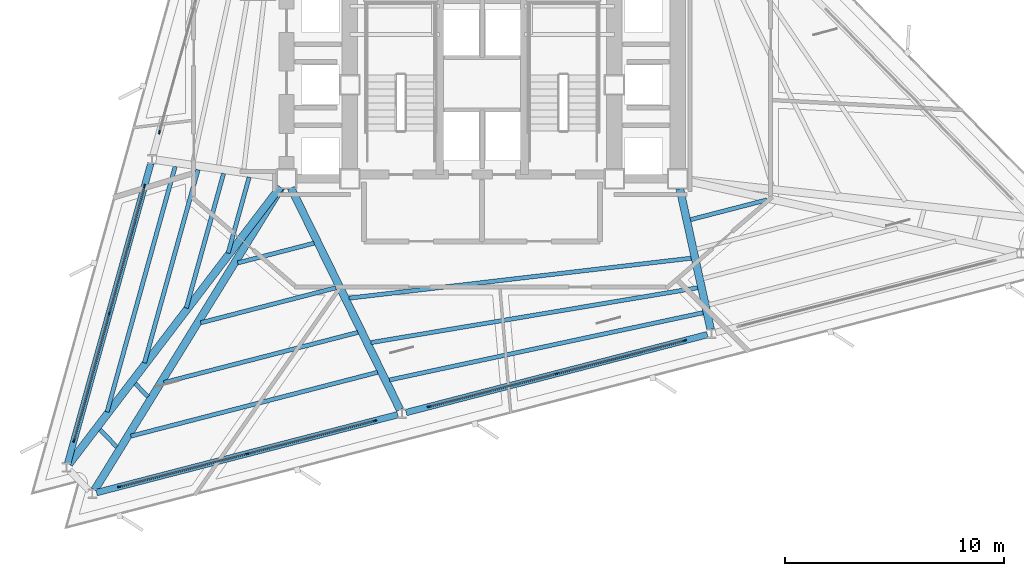
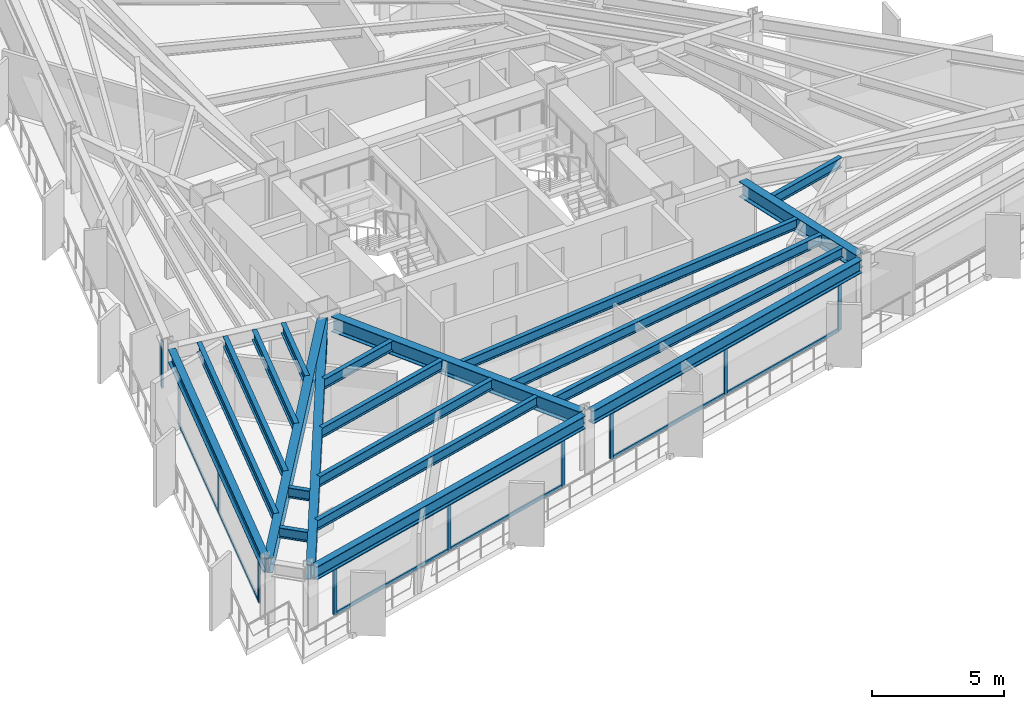
# One storey, part 2 of 11: 22 members, 21 beams, 4 elements without a shape of their own.
"""IFC4 building model written with IfcOpenShell, lengths in metres."""

import ifcopenshell
import ifcopenshell.guid

model = None  # the IFC model being written
_history = None  # IfcOwnerHistory: only IFC2X3 demands one
_inside = {}  # id of a spatial element -> (the spatial element, [elements in it])
_under = {}  # id of a project, library or spatial element -> (it, [spatial elements below it])
_declared = {}  # id of a project -> (the project, [libraries it declares])
_typed = {}  # id of a type object -> (the type object, [elements of that type])
_made_of = {}  # id of a material, layer set ... -> (it, [elements and type objects made of it])


def new_model(schema):
    """Start an empty IFC model of exactly this schema.

    Asked for "IFC4X3", IfcOpenShell would pick the latest addendum, in which some entities
    have other attributes; the version numbers below select the first issue.
    IFC2X3 requires an IfcOwnerHistory on every rooted entity: one is made here for all.
    """
    global model, _history
    if schema == "IFC4X3":
        model = ifcopenshell.file(schema_version=(4, 3, 0, 0))
    else:
        model = ifcopenshell.file(schema=schema)
    _inside.clear()
    _under.clear()
    _declared.clear()
    _typed.clear()
    _made_of.clear()
    _history = None
    if model.schema == "IFC2X3":
        org = make("IfcOrganization", Name="unknown")
        user = make(
            "IfcPersonAndOrganization",
            ThePerson=make("IfcPerson", FamilyName="unknown"),
            TheOrganization=org,
        )
        app = make(
            "IfcApplication",
            ApplicationDeveloper=org,
            Version="unknown",
            ApplicationFullName="unknown",
            ApplicationIdentifier="unknown",
        )
        _history = make(
            "IfcOwnerHistory",
            OwningUser=user,
            OwningApplication=app,
            ChangeAction="ADDED",
            CreationDate=0,
        )
    return model


def make(cls, **values):
    """One entity of the class cls with the attributes given. An attribute that is None is left unset."""
    return model.create_entity(
        cls, **{name: value for name, value in values.items() if value is not None}
    )


def rooted(cls, **values):
    """An entity with a GlobalId (a new one), such as an element, a storey or a relation."""
    return make(cls, GlobalId=ifcopenshell.guid.new(), OwnerHistory=_history, **values)


def si_unit(unit_type, name, prefix=None):
    """IfcSIUnit, for example si_unit("LENGTHUNIT", "METRE", prefix="MILLI")."""
    return make("IfcSIUnit", UnitType=unit_type, Prefix=prefix, Name=name)


def assignment(units):
    """IfcUnitAssignment: the units of a project."""
    return None if units is None else make("IfcUnitAssignment", Units=units)


def point(xyz):
    """IfcCartesianPoint."""
    return None if xyz is None else make("IfcCartesianPoint", Coordinates=xyz)


def direction(xyz):
    """IfcDirection."""
    return None if xyz is None else make("IfcDirection", DirectionRatios=xyz)


def frame(location, z_axis=None, x_axis=None):
    """IfcAxis2Placement3D, a coordinate frame: its origin and axes. An axis left out is left unset."""
    return make(
        "IfcAxis2Placement3D",
        Location=point(location),
        Axis=direction(z_axis),
        RefDirection=direction(x_axis),
    )


def frame_2d(location, x_axis=None):
    """IfcAxis2Placement2D, a coordinate frame in the plane: its origin and x axis."""
    return make(
        "IfcAxis2Placement2D", Location=point(location), RefDirection=direction(x_axis)
    )


def origin():
    """The frame at (0, 0, 0) with its axes left unset."""
    return frame((0.0, 0.0, 0.0))


def origin_2d():
    """The frame at (0, 0) in the plane with its x axis left unset."""
    return frame_2d((0.0, 0.0))


def place(relative_to, where):
    """IfcLocalPlacement: puts the frame where relative to a parent placement (None: the world)."""
    return make(
        "IfcLocalPlacement", PlacementRelTo=relative_to, RelativePlacement=where
    )


def context(
    kind, dimensions, precision=None, world=None, true_north=None, identifier=None
):
    """IfcGeometricRepresentationContext, for example the 3D "Model" context."""
    return make(
        "IfcGeometricRepresentationContext",
        ContextIdentifier=identifier,
        ContextType=kind,
        CoordinateSpaceDimension=dimensions,
        Precision=precision,
        WorldCoordinateSystem=world,
        TrueNorth=true_north,
    )


def subcontext(parent, identifier, kind, view, scale=None):
    """IfcGeometricRepresentationSubContext, for example "Body" below "Model"."""
    return make(
        "IfcGeometricRepresentationSubContext",
        ContextIdentifier=identifier,
        ContextType=kind,
        ParentContext=parent,
        TargetScale=scale,
        TargetView=view,
    )


def project(units=None, contexts=None):
    """IfcProject with its units and contexts."""
    return rooted(
        "IfcProject",
        Name="project",
        RepresentationContexts=contexts,
        UnitsInContext=assignment(units),
    )


def spatial(cls, under=None, at=None, **own):
    """A site, building, storey or space (cls), placed at a placement, below another one or the project."""
    s = rooted(cls, ObjectPlacement=at, **own)
    if under is not None:
        _under.setdefault(under.id(), (under, []))[1].append(s)
    return s


def profile(cls, at=None, kind="AREA", **sizes):
    """A parametric profile (cls). Its sizes go by their IFC names, for example OverallWidth=200.0."""
    return make(cls, ProfileType=kind, Position=at, **sizes)


def rectangle(**sizes):
    """IfcRectangleProfileDef."""
    return profile("IfcRectangleProfileDef", **sizes)


def i_section(**sizes):
    """IfcIShapeProfileDef."""
    return profile("IfcIShapeProfileDef", **sizes)


def extrude(swept, where, along, depth):
    """IfcExtrudedAreaSolid: the profile swept, set in the frame where, extruded along a direction by depth."""
    return make(
        "IfcExtrudedAreaSolid",
        SweptArea=swept,
        Position=where,
        ExtrudedDirection=direction(along),
        Depth=depth,
    )


def shape(context_of_items, identifier, shape_type, items):
    """IfcShapeRepresentation: the items that make up one representation, for example the "Body"."""
    return make(
        "IfcShapeRepresentation",
        ContextOfItems=context_of_items,
        RepresentationIdentifier=identifier,
        RepresentationType=shape_type,
        Items=items,
    )


def material(Name=None, Category=None):
    """IfcMaterial."""
    return make("IfcMaterial", Name=Name, Category=Category)


def layer(
    of_material, thickness, ventilated=None, Name=None, Category=None, Priority=None
):
    """IfcMaterialLayer: one layer of a wall or slab, of a material (None: an air gap)."""
    return make(
        "IfcMaterialLayer",
        Material=of_material,
        LayerThickness=thickness,
        IsVentilated=ventilated,
        Name=Name,
        Category=Category,
        Priority=Priority,
    )


def layer_set(layers, Name=None):
    """IfcMaterialLayerSet."""
    return make("IfcMaterialLayerSet", MaterialLayers=layers, LayerSetName=Name)


def material_profile(
    of_material, cross_section, Name=None, Category=None, Priority=None
):
    """IfcMaterialProfile: a cross section and its material."""
    return make(
        "IfcMaterialProfile",
        Name=Name,
        Material=of_material,
        Profile=cross_section,
        Priority=Priority,
        Category=Category,
    )


def profile_set(profiles, Name=None, composite=None):
    """IfcMaterialProfileSet."""
    return make(
        "IfcMaterialProfileSet",
        Name=Name,
        MaterialProfiles=profiles,
        CompositeProfile=composite,
    )


def made_of(thing, what):
    """Note that an element or type object is made of a material, layer set ...; save() writes the relation."""
    if what is not None:
        _made_of.setdefault(what.id(), (what, []))[1].append(thing)
    return thing


def type_object(cls, material=None, **own):
    """A type object (cls), such as IfcWallType, which elements share."""
    return made_of(rooted(cls, **own), material)


def element(
    cls,
    number,
    at=None,
    inside=None,
    cuts=None,
    type_object=None,
    material=None,
    context=None,
    identifier="Body",
    shape_type=None,
    held_by="IfcProductDefinitionShape",
    body=None,
    shapes=None,
    **own,
):
    """One element of the class cls, such as IfcWall. Its Tag is "e" and its number.

    at: its placement. inside: the storey or other place that contains it. cuts: it is an
    opening in that element (IfcRelVoidsElement). A single representation is given by context,
    identifier, shape_type and body (its items); several are given by shapes. held_by: the class
    of the entity that holds the representations. save() writes the other relations.
    """
    e = rooted(cls, Tag="e%d" % number, ObjectPlacement=at, **own)
    if body is not None:
        shapes = [shape(context, identifier, shape_type, body)]
    if shapes is not None:
        e.Representation = make(held_by, Representations=shapes)
    if inside is not None:
        _inside.setdefault(inside.id(), (inside, []))[1].append(e)
    if cuts is not None:
        rooted(
            "IfcRelVoidsElement", RelatingBuildingElement=cuts, RelatedOpeningElement=e
        )
    if type_object is not None:
        _typed.setdefault(type_object.id(), (type_object, []))[1].append(e)
    return made_of(e, material)


def aggregate(whole, parts):
    """IfcRelAggregates: a whole, such as a stair, and the parts it consists of."""
    return rooted("IfcRelAggregates", RelatingObject=whole, RelatedObjects=parts)


def save(model, path):
    """Write the relations noted so far, then the file.

    IfcRelAggregates (storeys below a building ...), IfcRelContainedInSpatialStructure (elements
    in a storey), IfcRelDefinesByType, IfcRelAssociatesMaterial and IfcRelDeclares: one each for
    every whole, place, type object, material and project.
    """
    for whole, parts in _under.values():
        aggregate(whole, parts)
    for where, things in _inside.values():
        rooted(
            "IfcRelContainedInSpatialStructure",
            RelatedElements=things,
            RelatingStructure=where,
        )
    for kind, things in _typed.values():
        rooted("IfcRelDefinesByType", RelatedObjects=things, RelatingType=kind)
    for what, things in _made_of.values():
        rooted("IfcRelAssociatesMaterial", RelatedObjects=things, RelatingMaterial=what)
    for by, libraries in _declared.values():
        rooted("IfcRelDeclares", RelatingContext=by, RelatedDefinitions=libraries)
    model.write(path)


model = new_model("IFC4")

# Units and contexts
model_context = context("Model", 3, precision=1e-05, world=origin(), true_north=direction((0.0, 1.0)))
body_context = subcontext(model_context, "Body", "Model", "MODEL_VIEW")
ifc_project = project(units=[si_unit("LENGTHUNIT", "METRE"), si_unit("AREAUNIT", "SQUARE_METRE"), si_unit("VOLUMEUNIT", "CUBIC_METRE"), si_unit("PLANEANGLEUNIT", "RADIAN"), si_unit("MASSUNIT", "GRAM", prefix="KILO")], contexts=[model_context])

# Site, building, storey
site_placement = place(None, origin())
site = spatial("IfcSite", under=ifc_project, at=site_placement, CompositionType="ELEMENT")
building_placement = place(site_placement, origin())
building = spatial("IfcBuilding", under=site, at=building_placement, Name="Rocaltana Carrier Exchange", CompositionType="ELEMENT")
storey_placement = place(building_placement, frame((0.0, 0.0, 94.719970703125)))
storey = spatial("IfcBuildingStorey", under=building, at=storey_placement, Name="L29", CompositionType="ELEMENT", Elevation=94.719970703125)

# Curtain wall, member
ifc_material_1 = material(Name="Aluminium 6063-T6", Category="aluminium")
ifc_layer = layer(ifc_material_1, 0.1650390625)
ifc_layer_set = layer_set([ifc_layer], Name="Aluminium 6063-T6")
curtain_wall_type = type_object("IfcCurtainWallType", Name="Lower-Mid Stepped Curtain Wall CW-02", PredefinedType="NOTDEFINED", material=ifc_layer_set)
curtain_wall_1_placement = place(storey_placement, origin())
curtain_wall_1 = element("IfcCurtainWall", 1, at=curtain_wall_1_placement, inside=storey, type_object=curtain_wall_type, Name="L29 CW-02 Run CW-L29-F2S2", PredefinedType="NOTDEFINED")
ifc_material_2 = material(Name="Aluminium 6063-T6", Category="aluminium")
ifc_material_profile_1 = material_profile(ifc_material_2, rectangle(XDim=0.06494140625, YDim=0.1650390625, at=origin_2d()), Name="AL-65X165")
ifc_profile_set_1 = profile_set([ifc_material_profile_1], Name="Aluminium 6063-T6")
member_type_1 = type_object("IfcMemberType", Name="CW-02 Mullion AL-65X165", PredefinedType="MULLION", material=ifc_profile_set_1)
member_1_placement = place(storey_placement, frame((-14.761962890625, -2.16796875, 0.0), z_axis=(0.0, 0.0, 1.0), x_axis=(0.963630586954, -0.267237893807, 0.0)))
member_1 = element("IfcMember", 2, at=member_1_placement, type_object=member_type_1, Name="CW-02 mullion 3", PredefinedType="MULLION", context=body_context, shape_type="SweptSolid", body=[
    extrude(rectangle(XDim=0.06494140625, YDim=0.1650390625, at=origin_2d()), origin(), (0.0, 0.0, 1.0), 2.16796875),
])
aggregate(curtain_wall_1, [member_1])

# Curtain wall, members
curtain_wall_2_placement = place(storey_placement, origin())
curtain_wall_2 = element("IfcCurtainWall", 3, at=curtain_wall_2_placement, inside=storey, type_object=curtain_wall_type, Name="L29 CW-02 Run CW-L29-F2S3", PredefinedType="NOTDEFINED")
member_2_placement = place(storey_placement, frame((-15.447265625, -4.6396484375, 0.0), z_axis=(0.0, 0.0, 1.0), x_axis=(0.963629053146, -0.267243424491, 0.0)))
member_2 = element("IfcMember", 4, at=member_2_placement, type_object=member_type_1, Name="CW-02 mullion 1", PredefinedType="MULLION", context=body_context, shape_type="SweptSolid", body=[
    extrude(rectangle(XDim=0.06494140625, YDim=0.1650390625, at=origin_2d()), origin(), (0.0, 0.0, 1.0), 2.16796875),
])
member_3_placement = place(storey_placement, frame((-17.059814453125, -10.45458984375, 0.0), z_axis=(0.0, 0.0, 1.0), x_axis=(0.963629053146, -0.267243424491, 0.0)))
member_3 = element("IfcMember", 5, at=member_3_placement, type_object=member_type_1, Name="CW-02 mullion 2", PredefinedType="MULLION", context=body_context, shape_type="SweptSolid", body=[
    extrude(rectangle(XDim=0.06494140625, YDim=0.1650390625, at=origin_2d()), origin(), (0.0, 0.0, 1.0), 2.16796875),
])
member_4_placement = place(storey_placement, frame((-18.672607421875, -16.269287109375, 0.0), z_axis=(0.0, 0.0, 1.0), x_axis=(0.963629053146, -0.267243424491, 0.0)))
member_4 = element("IfcMember", 6, at=member_4_placement, type_object=member_type_1, Name="CW-02 mullion 3", PredefinedType="MULLION", context=body_context, shape_type="SweptSolid", body=[
    extrude(rectangle(XDim=0.06494140625, YDim=0.1650390625, at=origin_2d()), origin(), (0.0, 0.0, 1.0), 2.16796875),
])

curtain_wall_3_placement = place(storey_placement, origin())
curtain_wall_3 = element("IfcCurtainWall", 7, at=curtain_wall_3_placement, inside=storey, type_object=curtain_wall_type, Name="L29 CW-02 Run CW-L29-F3S1", PredefinedType="NOTDEFINED")
member_5_placement = place(storey_placement, frame((-16.592529296875, -18.3857421875, 0.0), z_axis=(0.0, 0.0, 1.0), x_axis=(-0.250377760692, 0.968148220548, 0.0)))
member_5 = element("IfcMember", 8, at=member_5_placement, type_object=member_type_1, Name="CW-02 mullion 1", PredefinedType="MULLION", context=body_context, shape_type="SweptSolid", body=[
    extrude(rectangle(XDim=0.06494140625, YDim=0.1650390625, at=origin_2d()), origin(), (0.0, 0.0, 1.0), 2.16796875),
])
member_6_placement = place(storey_placement, frame((-10.75048828125, -16.874755859375, 0.0), z_axis=(0.0, 0.0, 1.0), x_axis=(-0.250377760692, 0.968148220548, 0.0)))
member_6 = element("IfcMember", 9, at=member_6_placement, type_object=member_type_1, Name="CW-02 mullion 2", PredefinedType="MULLION", context=body_context, shape_type="SweptSolid", body=[
    extrude(rectangle(XDim=0.06494140625, YDim=0.1650390625, at=origin_2d()), origin(), (0.0, 0.0, 1.0), 2.16796875),
])
member_7_placement = place(storey_placement, frame((-4.90869140625, -15.364013671875, 0.0), z_axis=(0.0, 0.0, 1.0), x_axis=(-0.250377760692, 0.968148220548, 0.0)))
member_7 = element("IfcMember", 10, at=member_7_placement, type_object=member_type_1, Name="CW-02 mullion 3", PredefinedType="MULLION", context=body_context, shape_type="SweptSolid", body=[
    extrude(rectangle(XDim=0.06494140625, YDim=0.1650390625, at=origin_2d()), origin(), (0.0, 0.0, 1.0), 2.16796875),
])

curtain_wall_4_placement = place(storey_placement, origin())
curtain_wall_4 = element("IfcCurtainWall", 11, at=curtain_wall_4_placement, inside=storey, type_object=curtain_wall_type, Name="L29 CW-02 Run CW-L29-F3S2", PredefinedType="NOTDEFINED")
member_8_placement = place(storey_placement, frame((-2.42529296875, -14.7216796875, 0.0), z_axis=(0.0, 0.0, 1.0), x_axis=(-0.250377760692, 0.968148220548, 0.0)))
member_8 = element("IfcMember", 12, at=member_8_placement, type_object=member_type_1, Name="CW-02 mullion 1", PredefinedType="MULLION", context=body_context, shape_type="SweptSolid", body=[
    extrude(rectangle(XDim=0.06494140625, YDim=0.1650390625, at=origin_2d()), origin(), (0.0, 0.0, 1.0), 2.16796875),
])
member_9_placement = place(storey_placement, frame((3.41650390625, -13.2109375, 0.0), z_axis=(0.0, 0.0, 1.0), x_axis=(-0.250377760692, 0.968148220548, 0.0)))
member_9 = element("IfcMember", 13, at=member_9_placement, type_object=member_type_1, Name="CW-02 mullion 2", PredefinedType="MULLION", context=body_context, shape_type="SweptSolid", body=[
    extrude(rectangle(XDim=0.06494140625, YDim=0.1650390625, at=origin_2d()), origin(), (0.0, 0.0, 1.0), 2.16796875),
])
member_10_placement = place(storey_placement, frame((9.258544921875, -11.7001953125, 0.0), z_axis=(0.0, 0.0, 1.0), x_axis=(-0.250377760692, 0.968148220548, 0.0)))
member_10 = element("IfcMember", 14, at=member_10_placement, type_object=member_type_1, Name="CW-02 mullion 3", PredefinedType="MULLION", context=body_context, shape_type="SweptSolid", body=[
    extrude(rectangle(XDim=0.06494140625, YDim=0.1650390625, at=origin_2d()), origin(), (0.0, 0.0, 1.0), 2.16796875),
])

# Member
ifc_material_3 = material(Name="Aluminium 6063-T6", Category="aluminium")
ifc_material_profile_2 = material_profile(ifc_material_3, rectangle(XDim=0.06494140625, YDim=0.1650390625, at=origin_2d()), Name="AL-65X165")
ifc_profile_set_2 = profile_set([ifc_material_profile_2], Name="Aluminium 6063-T6")
member_type_2 = type_object("IfcMemberType", Name="CW-02 Transom AL-65X165", PredefinedType="USERDEFINED", material=ifc_profile_set_2)
member_11_placement = place(storey_placement, frame((-15.4560546875, -4.671142578125, 0.032470703125), z_axis=(-0.26724725359, -0.963627991213, 0.0), x_axis=(0.963627991213, -0.26724725359, 0.0)))
member_11 = element("IfcMember", 15, at=member_11_placement, type_object=member_type_2, Name="CW-02 transom 1.1", ObjectType="TRANSOM", PredefinedType="USERDEFINED", context=body_context, shape_type="SweptSolid", body=[
    extrude(rectangle(XDim=0.06494140625, YDim=0.1650390625, at=origin_2d()), origin(), (0.0, 0.0, 1.0), 5.968994140625),
])

member_12_placement = place(storey_placement, frame((-15.4560546875, -4.671142578125, 2.135498046875), z_axis=(-0.26724725359, -0.963627991213, 0.0), x_axis=(0.963627991213, -0.26724725359, 0.0)))
member_12 = element("IfcMember", 16, at=member_12_placement, type_object=member_type_2, Name="CW-02 transom 1.2", ObjectType="TRANSOM", PredefinedType="USERDEFINED", context=body_context, shape_type="SweptSolid", body=[
    extrude(rectangle(XDim=0.06494140625, YDim=0.1650390625, at=origin_2d()), origin(), (0.0, 0.0, 1.0), 5.968994140625),
])

member_13_placement = place(storey_placement, frame((-17.068603515625, -10.48583984375, 0.032470703125), z_axis=(-0.267236720875, -0.963630912235, 0.0), x_axis=(0.963630912235, -0.267236720875, 0.0)))
member_13 = element("IfcMember", 17, at=member_13_placement, type_object=member_type_2, Name="CW-02 transom 2.1", ObjectType="TRANSOM", PredefinedType="USERDEFINED", context=body_context, shape_type="SweptSolid", body=[
    extrude(rectangle(XDim=0.06494140625, YDim=0.1650390625, at=origin_2d()), origin(), (0.0, 0.0, 1.0), 5.96923828125),
])

member_14_placement = place(storey_placement, frame((-17.068603515625, -10.48583984375, 2.135498046875), z_axis=(-0.267236720875, -0.963630912235, 0.0), x_axis=(0.963630912235, -0.267236720875, 0.0)))
member_14 = element("IfcMember", 18, at=member_14_placement, type_object=member_type_2, Name="CW-02 transom 2.2", ObjectType="TRANSOM", PredefinedType="USERDEFINED", context=body_context, shape_type="SweptSolid", body=[
    extrude(rectangle(XDim=0.06494140625, YDim=0.1650390625, at=origin_2d()), origin(), (0.0, 0.0, 1.0), 5.96923828125),
])

aggregate(curtain_wall_2, [member_2, member_3, member_4, member_11, member_12, member_13, member_14])

member_15_placement = place(storey_placement, frame((-16.56103515625, -18.37744140625, 0.032470703125), z_axis=(0.968154945337, 0.250351756175, 0.0), x_axis=(-0.250351756175, 0.968154945337, 0.0)))
member_15 = element("IfcMember", 19, at=member_15_placement, type_object=member_type_2, Name="CW-02 transom 1.1", ObjectType="TRANSOM", PredefinedType="USERDEFINED", context=body_context, shape_type="SweptSolid", body=[
    extrude(rectangle(XDim=0.06494140625, YDim=0.1650390625, at=origin_2d()), origin(), (0.0, 0.0, 1.0), 5.96923828125),
])

member_16_placement = place(storey_placement, frame((-16.56103515625, -18.37744140625, 2.135498046875), z_axis=(0.968154945337, 0.250351756175, 0.0), x_axis=(-0.250351756175, 0.968154945337, 0.0)))
member_16 = element("IfcMember", 20, at=member_16_placement, type_object=member_type_2, Name="CW-02 transom 1.2", ObjectType="TRANSOM", PredefinedType="USERDEFINED", context=body_context, shape_type="SweptSolid", body=[
    extrude(rectangle(XDim=0.06494140625, YDim=0.1650390625, at=origin_2d()), origin(), (0.0, 0.0, 1.0), 5.96923828125),
])

member_17_placement = place(storey_placement, frame((-10.71923828125, -16.86669921875, 0.032470703125), z_axis=(0.968145031253, 0.250390092575, 0.0), x_axis=(-0.250390092575, 0.968145031253, 0.0)))
member_17 = element("IfcMember", 21, at=member_17_placement, type_object=member_type_2, Name="CW-02 transom 2.1", ObjectType="TRANSOM", PredefinedType="USERDEFINED", context=body_context, shape_type="SweptSolid", body=[
    extrude(rectangle(XDim=0.06494140625, YDim=0.1650390625, at=origin_2d()), origin(), (0.0, 0.0, 1.0), 5.96923828125),
])

member_18_placement = place(storey_placement, frame((-10.71923828125, -16.86669921875, 2.135498046875), z_axis=(0.968145031253, 0.250390092575, 0.0), x_axis=(-0.250390092575, 0.968145031253, 0.0)))
member_18 = element("IfcMember", 22, at=member_18_placement, type_object=member_type_2, Name="CW-02 transom 2.2", ObjectType="TRANSOM", PredefinedType="USERDEFINED", context=body_context, shape_type="SweptSolid", body=[
    extrude(rectangle(XDim=0.06494140625, YDim=0.1650390625, at=origin_2d()), origin(), (0.0, 0.0, 1.0), 5.96923828125),
])

aggregate(curtain_wall_3, [member_5, member_6, member_7, member_15, member_16, member_17, member_18])

member_19_placement = place(storey_placement, frame((-2.393798828125, -14.713623046875, 0.032470703125), z_axis=(0.968145031253, 0.250390092575, 0.0), x_axis=(-0.250390092575, 0.968145031253, 0.0)))
member_19 = element("IfcMember", 23, at=member_19_placement, type_object=member_type_2, Name="CW-02 transom 1.1", ObjectType="TRANSOM", PredefinedType="USERDEFINED", context=body_context, shape_type="SweptSolid", body=[
    extrude(rectangle(XDim=0.06494140625, YDim=0.1650390625, at=origin_2d()), origin(), (0.0, 0.0, 1.0), 5.96923828125),
])

member_20_placement = place(storey_placement, frame((-2.393798828125, -14.713623046875, 2.135498046875), z_axis=(0.968145031253, 0.250390092575, 0.0), x_axis=(-0.250390092575, 0.968145031253, 0.0)))
member_20 = element("IfcMember", 24, at=member_20_placement, type_object=member_type_2, Name="CW-02 transom 1.2", ObjectType="TRANSOM", PredefinedType="USERDEFINED", context=body_context, shape_type="SweptSolid", body=[
    extrude(rectangle(XDim=0.06494140625, YDim=0.1650390625, at=origin_2d()), origin(), (0.0, 0.0, 1.0), 5.96923828125),
])

member_21_placement = place(storey_placement, frame((3.447998046875, -13.202880859375, 0.032470703125), z_axis=(0.968145031253, 0.250390092575, 0.0), x_axis=(-0.250390092575, 0.968145031253, 0.0)))
member_21 = element("IfcMember", 25, at=member_21_placement, type_object=member_type_2, Name="CW-02 transom 2.1", ObjectType="TRANSOM", PredefinedType="USERDEFINED", context=body_context, shape_type="SweptSolid", body=[
    extrude(rectangle(XDim=0.06494140625, YDim=0.1650390625, at=origin_2d()), origin(), (0.0, 0.0, 1.0), 5.96923828125),
])

member_22_placement = place(storey_placement, frame((3.447998046875, -13.202880859375, 2.135498046875), z_axis=(0.968145031253, 0.250390092575, 0.0), x_axis=(-0.250390092575, 0.968145031253, 0.0)))
member_22 = element("IfcMember", 26, at=member_22_placement, type_object=member_type_2, Name="CW-02 transom 2.2", ObjectType="TRANSOM", PredefinedType="USERDEFINED", context=body_context, shape_type="SweptSolid", body=[
    extrude(rectangle(XDim=0.06494140625, YDim=0.1650390625, at=origin_2d()), origin(), (0.0, 0.0, 1.0), 5.96923828125),
])

aggregate(curtain_wall_4, [member_8, member_9, member_10, member_19, member_20, member_21, member_22])

# Beams
ifc_material_4 = material(Name="Steel S355", Category="steel")
ifc_material_profile_3 = material_profile(ifc_material_4, i_section(OverallWidth=0.193115234375, OverallDepth=0.466064453125, WebThickness=0.011474609375, FlangeThickness=0.01904296875, FilletRadius=0.013916015625, at=origin_2d()), Name="W18X65")
ifc_profile_set_3 = profile_set([ifc_material_profile_3], Name="Steel S355")
beam_type_1 = type_object("IfcBeamType", Name="Floor Joist W18X65", PredefinedType="JOIST", material=ifc_profile_set_3)
beam_1_placement = place(storey_placement, frame((-10.65771484375, -4.223388671875, 2.554931640625), z_axis=(-0.267214572506, -0.963637054207, 0.0), x_axis=(0.963637054207, -0.267214572506, 0.0)))
element("IfcBeam", 27, at=beam_1_placement, inside=storey, type_object=beam_type_1, Name="FJ-L29-07-1", PredefinedType="JOIST", context=body_context, shape_type="SweptSolid", body=[
    extrude(i_section(OverallWidth=0.193115234375, OverallDepth=0.466064453125, WebThickness=0.011474609375, FlangeThickness=0.01904296875, FilletRadius=0.013916015625, at=origin_2d()), origin(), (0.0, 0.0, 1.0), 3.60791015625),
])
beam_2_placement = place(storey_placement, frame((-11.826904296875, -4.052978515625, 2.554931640625), z_axis=(-0.267247660275, -0.963627878425, 0.0), x_axis=(0.963627878425, -0.267247660275, 0.0)))
element("IfcBeam", 28, at=beam_2_placement, inside=storey, type_object=beam_type_1, Name="FJ-L29-07-2", PredefinedType="JOIST", context=body_context, shape_type="SweptSolid", body=[
    extrude(i_section(OverallWidth=0.193115234375, OverallDepth=0.466064453125, WebThickness=0.011474609375, FlangeThickness=0.01904296875, FilletRadius=0.013916015625, at=origin_2d()), origin(), (0.0, 0.0, 1.0), 6.388427734375),
])
beam_3_placement = place(storey_placement, frame((-12.996337890625, -3.8828125, 2.554931640625), z_axis=(-0.267235954776, -0.963631124692, 0.0), x_axis=(0.963631124692, -0.267235954776, 0.0)))
element("IfcBeam", 29, at=beam_3_placement, inside=storey, type_object=beam_type_1, Name="FJ-L29-07-3", PredefinedType="JOIST", context=body_context, shape_type="SweptSolid", body=[
    extrude(i_section(OverallWidth=0.193115234375, OverallDepth=0.466064453125, WebThickness=0.011474609375, FlangeThickness=0.01904296875, FilletRadius=0.013916015625, at=origin_2d()), origin(), (0.0, 0.0, 1.0), 9.168701171875),
])
beam_4_placement = place(storey_placement, frame((-14.04248046875, -3.73046875, 2.554931640625), z_axis=(-0.267254953873, -0.963625855626, 0.0), x_axis=(0.963625855626, -0.267254953873, 0.0)))
element("IfcBeam", 30, at=beam_4_placement, inside=storey, type_object=beam_type_1, Name="FJ-L29-07-4", PredefinedType="JOIST", context=body_context, shape_type="SweptSolid", body=[
    extrude(i_section(OverallWidth=0.193115234375, OverallDepth=0.466064453125, WebThickness=0.011474609375, FlangeThickness=0.01904296875, FilletRadius=0.013916015625, at=origin_2d()), origin(), (0.0, 0.0, 1.0), 11.656494140625),
])
beam_5_placement = place(storey_placement, frame((-15.87548828125, -13.666015625, 2.554931640625), z_axis=(0.700949450069, -0.713210956484, 0.0), x_axis=(0.713210956484, 0.700949450069, 0.0)))
element("IfcBeam", 31, at=beam_5_placement, inside=storey, type_object=beam_type_1, Name="FJ-L29-08-3", PredefinedType="JOIST", context=body_context, shape_type="SweptSolid", body=[
    extrude(i_section(OverallWidth=0.193115234375, OverallDepth=0.466064453125, WebThickness=0.011474609375, FlangeThickness=0.01904296875, FilletRadius=0.013916015625, at=origin_2d()), origin(), (0.0, 0.0, 1.0), 0.836181640625),
])
beam_6_placement = place(storey_placement, frame((-17.48583984375, -15.77880859375, 2.554931640625), z_axis=(0.70100898123, -0.713152443896, 0.0), x_axis=(0.713152443896, 0.70100898123, 0.0)))
element("IfcBeam", 32, at=beam_6_placement, inside=storey, type_object=beam_type_1, Name="FJ-L29-08-4", PredefinedType="JOIST", context=body_context, shape_type="SweptSolid", body=[
    extrude(i_section(OverallWidth=0.193115234375, OverallDepth=0.466064453125, WebThickness=0.011474609375, FlangeThickness=0.01904296875, FilletRadius=0.013916015625, at=origin_2d()), origin(), (0.0, 0.0, 1.0), 1.105712890625),
])
beam_7_placement = place(storey_placement, frame((-11.1826171875, -8.14697265625, 2.554931640625), z_axis=(0.968131920636, 0.250440779917, 0.0), x_axis=(-0.250440779917, 0.968131920636, 0.0)))
element("IfcBeam", 33, at=beam_7_placement, inside=storey, type_object=beam_type_1, Name="FJ-L29-09-1", PredefinedType="JOIST", context=body_context, shape_type="SweptSolid", body=[
    extrude(i_section(OverallWidth=0.193115234375, OverallDepth=0.466064453125, WebThickness=0.011474609375, FlangeThickness=0.01904296875, FilletRadius=0.013916015625, at=origin_2d()), origin(), (0.0, 0.0, 1.0), 3.60791015625),
])
beam_8_placement = place(storey_placement, frame((-12.87060546875, -10.88427734375, 2.554931640625), z_axis=(0.968143557315, 0.250395791558, 0.0), x_axis=(-0.250395791558, 0.968143557315, 0.0)))
element("IfcBeam", 34, at=beam_8_placement, inside=storey, type_object=beam_type_1, Name="FJ-L29-09-2", PredefinedType="JOIST", context=body_context, shape_type="SweptSolid", body=[
    extrude(i_section(OverallWidth=0.193115234375, OverallDepth=0.466064453125, WebThickness=0.011474609375, FlangeThickness=0.01904296875, FilletRadius=0.013916015625, at=origin_2d()), origin(), (0.0, 0.0, 1.0), 6.388427734375),
])
beam_9_placement = place(storey_placement, frame((-14.55859375, -13.62158203125, 2.554931640625), z_axis=(0.968140011266, 0.250409501786, 0.0), x_axis=(-0.250409501786, 0.968140011266, 0.0)))
element("IfcBeam", 35, at=beam_9_placement, inside=storey, type_object=beam_type_1, Name="FJ-L29-09-3", PredefinedType="JOIST", context=body_context, shape_type="SweptSolid", body=[
    extrude(i_section(OverallWidth=0.193115234375, OverallDepth=0.466064453125, WebThickness=0.011474609375, FlangeThickness=0.01904296875, FilletRadius=0.013916015625, at=origin_2d()), origin(), (0.0, 0.0, 1.0), 9.16845703125),
])
beam_10_placement = place(storey_placement, frame((-16.069091796875, -16.070556640625, 2.554931640625), z_axis=(0.968149362607, 0.250373344596, 0.0), x_axis=(-0.250373344596, 0.968149362607, 0.0)))
element("IfcBeam", 36, at=beam_10_placement, inside=storey, type_object=beam_type_1, Name="FJ-L29-09-4", PredefinedType="JOIST", context=body_context, shape_type="SweptSolid", body=[
    extrude(i_section(OverallWidth=0.193115234375, OverallDepth=0.466064453125, WebThickness=0.011474609375, FlangeThickness=0.01904296875, FilletRadius=0.013916015625, at=origin_2d()), origin(), (0.0, 0.0, 1.0), 11.656494140625),
])
beam_11_placement = place(storey_placement, frame((-6.085205078125, -9.759033203125, 2.554931640625), z_axis=(0.993245745527, 0.116029690132, 0.0), x_axis=(-0.116029690132, 0.993245745527, 0.0)))
element("IfcBeam", 37, at=beam_11_placement, inside=storey, type_object=beam_type_1, Name="FJ-L29-10-2", PredefinedType="JOIST", context=body_context, shape_type="SweptSolid", body=[
    extrude(i_section(OverallWidth=0.193115234375, OverallDepth=0.466064453125, WebThickness=0.011474609375, FlangeThickness=0.01904296875, FilletRadius=0.013916015625, at=origin_2d()), origin(), (0.0, 0.0, 1.0), 15.761962890625),
])
beam_12_placement = place(storey_placement, frame((-5.082763671875, -11.791748046875, 2.554931640625), z_axis=(0.986215738721, 0.165464548161, 0.0), x_axis=(-0.165464548161, 0.986215738721, 0.0)))
element("IfcBeam", 38, at=beam_12_placement, inside=storey, type_object=beam_type_1, Name="FJ-L29-10-3", PredefinedType="JOIST", context=body_context, shape_type="SweptSolid", body=[
    extrude(i_section(OverallWidth=0.193115234375, OverallDepth=0.466064453125, WebThickness=0.011474609375, FlangeThickness=0.01904296875, FilletRadius=0.013916015625, at=origin_2d()), origin(), (0.0, 0.0, 1.0), 15.15771484375),
])
beam_13_placement = place(storey_placement, frame((-4.239013671875, -13.5029296875, 2.554931640625), z_axis=(0.977758587701, 0.209733507519, 0.0), x_axis=(-0.209733507519, 0.977758587701, 0.0)))
element("IfcBeam", 39, at=beam_13_placement, inside=storey, type_object=beam_type_1, Name="FJ-L29-10-4", PredefinedType="JOIST", context=body_context, shape_type="SweptSolid", body=[
    extrude(i_section(OverallWidth=0.193115234375, OverallDepth=0.466064453125, WebThickness=0.011474609375, FlangeThickness=0.01904296875, FilletRadius=0.013916015625, at=origin_2d()), origin(), (0.0, 0.0, 1.0), 14.680908203125),
])
beam_14_placement = place(storey_placement, frame((9.53466796875, -6.16845703125, 2.554931640625), z_axis=(0.968131920636, 0.250440779917, 0.0), x_axis=(-0.250440779917, 0.968131920636, 0.0)))
element("IfcBeam", 40, at=beam_14_placement, inside=storey, type_object=beam_type_1, Name="FJ-L29-11-1", PredefinedType="JOIST", context=body_context, shape_type="SweptSolid", body=[
    extrude(i_section(OverallWidth=0.193115234375, OverallDepth=0.466064453125, WebThickness=0.011474609375, FlangeThickness=0.01904296875, FilletRadius=0.013916015625, at=origin_2d()), origin(), (0.0, 0.0, 1.0), 3.60791015625),
])
ifc_material_5 = material(Name="Steel S355", Category="steel")
ifc_material_profile_4 = material_profile(ifc_material_5, i_section(OverallWidth=0.35498046875, OverallDepth=0.695068359375, WebThickness=0.015380859375, FlangeThickness=0.02490234375, FilletRadius=0.01806640625, at=origin_2d()), Name="W27X146")
ifc_profile_set_4 = profile_set([ifc_material_profile_4], Name="Steel S355")
beam_type_2 = type_object("IfcBeamType", Name="Radial Girder W27X146", PredefinedType="BEAM", material=ifc_profile_set_4)
beam_15_placement = place(storey_placement, frame((-9.233154296875, -4.67138671875, 2.4404296875), z_axis=(-0.606201959284, -0.795310747168, 0.0), x_axis=(0.795310747168, -0.606201959284, 0.0)))
element("IfcBeam", 41, at=beam_15_placement, inside=storey, type_object=beam_type_2, Name="RG-L29-08", PredefinedType="BEAM", context=body_context, shape_type="SweptSolid", body=[
    extrude(i_section(OverallWidth=0.35498046875, OverallDepth=0.695068359375, WebThickness=0.015380859375, FlangeThickness=0.02490234375, FilletRadius=0.01806640625, at=origin_2d()), origin(), (0.0, 0.0, 1.0), 15.938720703125),
])
beam_16_placement = place(storey_placement, frame((-9.195068359375, -4.697509765625, 2.4404296875), z_axis=(-0.52488797783, -0.851171316909, 0.0), x_axis=(0.851171316909, -0.52488797783, 0.0)))
element("IfcBeam", 42, at=beam_16_placement, inside=storey, type_object=beam_type_2, Name="RG-L29-09", PredefinedType="BEAM", context=body_context, shape_type="SweptSolid", body=[
    extrude(i_section(OverallWidth=0.35498046875, OverallDepth=0.695068359375, WebThickness=0.015380859375, FlangeThickness=0.02490234375, FilletRadius=0.01806640625, at=origin_2d()), origin(), (0.0, 0.0, 1.0), 16.260986328125),
])
beam_17_placement = place(storey_placement, frame((-8.743896484375, -4.718994140625, 2.4404296875), z_axis=(0.441287446222, -0.897365806016, 0.0), x_axis=(0.897365806016, 0.441287446222, 0.0)))
element("IfcBeam", 43, at=beam_17_placement, inside=storey, type_object=beam_type_2, Name="RG-L29-10", PredefinedType="BEAM", context=body_context, shape_type="SweptSolid", body=[
    extrude(i_section(OverallWidth=0.35498046875, OverallDepth=0.695068359375, WebThickness=0.015380859375, FlangeThickness=0.02490234375, FilletRadius=0.01806640625, at=origin_2d()), origin(), (0.0, 0.0, 1.0), 11.306640625),
])
beam_18_placement = place(storey_placement, frame((9.0498046875, -4.756103515625, 2.4404296875), z_axis=(0.213917013251, -0.976851836996, 0.0), x_axis=(0.976851836996, 0.213917013251, 0.0)))
element("IfcBeam", 44, at=beam_18_placement, inside=storey, type_object=beam_type_2, Name="RG-L29-11", PredefinedType="BEAM", context=body_context, shape_type="SweptSolid", body=[
    extrude(i_section(OverallWidth=0.35498046875, OverallDepth=0.695068359375, WebThickness=0.015380859375, FlangeThickness=0.02490234375, FilletRadius=0.01806640625, at=origin_2d()), origin(), (0.0, 0.0, 1.0), 6.581787109375),
])
ifc_material_6 = material(Name="Steel S355", Category="steel")
ifc_material_profile_5 = material_profile(ifc_material_6, i_section(OverallWidth=0.300048828125, OverallDepth=0.60009765625, WebThickness=0.015380859375, FlangeThickness=0.030029296875, FilletRadius=0.027099609375, at=origin_2d()), Name="HEB600")
ifc_profile_set_5 = profile_set([ifc_material_profile_5], Name="Steel S355")
beam_type_3 = type_object("IfcBeamType", Name="Spandrel Edge Beam HEB600", PredefinedType="SPANDREL", material=ifc_profile_set_5)
for number, where, z_axis, x_axis, name in (
    (45, (-15.157470703125, -3.5947265625, 2.488037109375), (-0.26725027467, -0.963627153358, 0.0), (0.963627153358, -0.26725027467, 0.0), "SP-L29-07"),
    (46, (-17.642578125, -18.6572265625, 2.488037109375), (0.968148846625, 0.250375339797, 0.0), (-0.250375339797, 0.968148846625, 0.0), "SP-L29-09"),
    (47, (-3.475341796875, -14.993408203125, 2.488037109375), (0.968148846625, 0.250375339797, 0.0), (-0.250375339797, 0.968148846625, 0.0), "SP-L29-10"),
):
    element("IfcBeam", number, at=place(storey_placement, frame(where, z_axis=z_axis, x_axis=x_axis)), inside=storey, type_object=beam_type_3, Name=name, PredefinedType="SPANDREL", context=body_context, shape_type="SweptSolid", body=[
        extrude(i_section(OverallWidth=0.300048828125, OverallDepth=0.60009765625, WebThickness=0.015380859375, FlangeThickness=0.030029296875, FilletRadius=0.027099609375, at=origin_2d()), origin(), (0.0, 0.0, 1.0), 14.2373046875),
    ])

save(model, "model.ifc")
